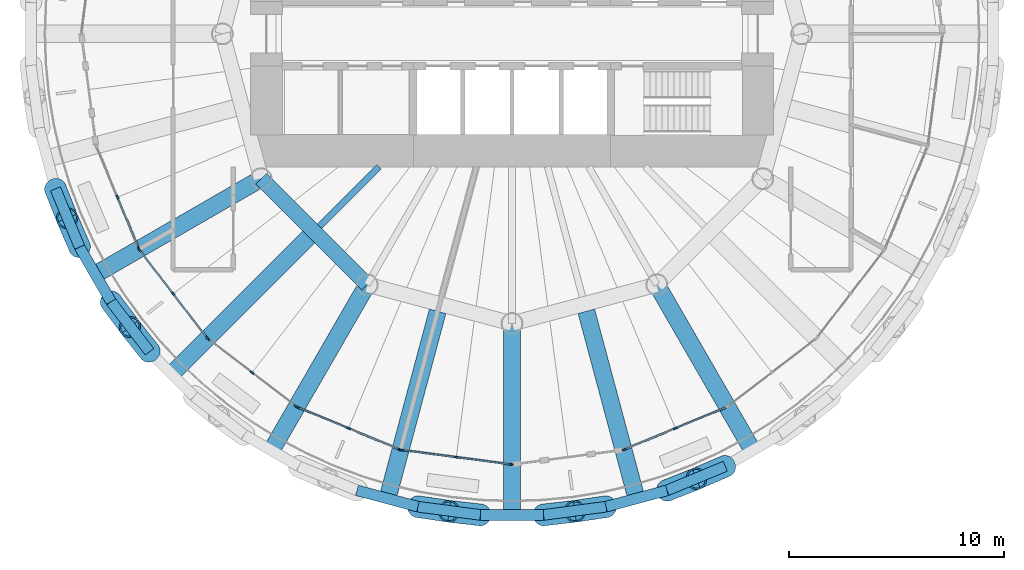
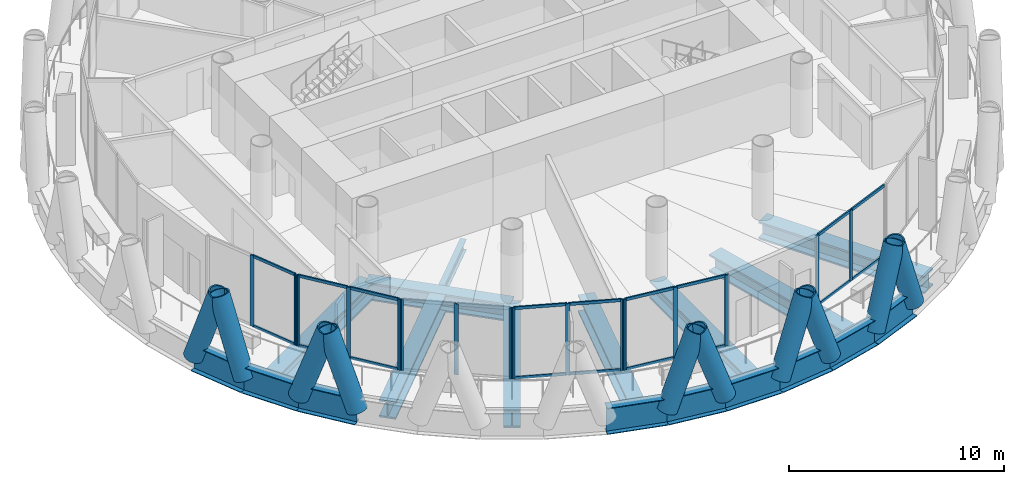
# One storey, part 2 of 15: 44 members, 18 beams, 6 elements without a shape of their own.
"""IFC4 building model written with IfcOpenShell, lengths in metres."""

from ifc_helpers import new_model, si_unit, direction, frame, origin, origin_2d, place, context, subcontext, project, spatial, rectangle, hollow_circle, i_section, extrude, material, material_profile, profile_set, type_object, element, aggregate, save


model = new_model("IFC4")

# Units and contexts
model_context = context("Model", 3, precision=1e-05, world=origin(), true_north=direction((0.0, 1.0)))
body_context = subcontext(model_context, "Body", "Model", "MODEL_VIEW")
ifc_project = project(units=[si_unit("LENGTHUNIT", "METRE"), si_unit("AREAUNIT", "SQUARE_METRE"), si_unit("VOLUMEUNIT", "CUBIC_METRE"), si_unit("PLANEANGLEUNIT", "RADIAN"), si_unit("MASSUNIT", "GRAM", prefix="KILO")], contexts=[model_context])

# Site, building, storey
site_placement = place(None, origin())
site = spatial("IfcSite", under=ifc_project, at=site_placement, CompositionType="ELEMENT")
building_placement = place(site_placement, origin())
building = spatial("IfcBuilding", under=site, at=building_placement, Name="Qaws Media Tower", CompositionType="ELEMENT")
storey_placement = place(building_placement, frame((0.0, 0.0, 231.800048828125)))
storey = spatial("IfcBuildingStorey", under=building, at=storey_placement, Name="L53", CompositionType="ELEMENT", Elevation=231.800048828125)

# Curtain wall, members
ifc_material_1 = material(Name="Aluminium and clear glass", Category="aluminium")
curtain_wall_type = type_object("IfcCurtainWallType", Name="Unitised curtain wall CW-C", PredefinedType="NOTDEFINED", material=ifc_material_1)
curtain_wall_1_placement = place(storey_placement, origin())
curtain_wall_1 = element("IfcCurtainWall", 1, at=curtain_wall_1_placement, inside=storey, type_object=curtain_wall_type, Name="CWC curtain wall L53-14", PredefinedType="NOTDEFINED")
ifc_material_2 = material(Name="Aluminium mullion", Category="aluminium")
ifc_material_profile_1 = material_profile(ifc_material_2, rectangle(XDim=0.080078125, YDim=0.199951171875, at=origin_2d()), Name="80x200")
ifc_profile_set_1 = profile_set([ifc_material_profile_1], Name="Aluminium mullion")
member_type_1 = type_object("IfcMemberType", Name="Curtain wall mullion 80x200", PredefinedType="MULLION", material=ifc_profile_set_1)
member_1_placement = place(storey_placement, frame((41.61181640625, 42.38330078125, 0.0), z_axis=(0.0, 0.0, 1.0), x_axis=(0.923879540513, 0.382683413048, 0.0)))
member_1 = element("IfcMember", 2, at=member_1_placement, type_object=member_type_1, Name="CWC mullion 2", PredefinedType="MULLION", context=body_context, shape_type="SweptSolid", body=[
    extrude(rectangle(XDim=0.080078125, YDim=0.199951171875, at=origin_2d()), origin(), (0.0, 0.0, 1.0), 4.0400390625),
])
member_2_placement = place(storey_placement, frame((42.59912109375, 39.99951171875, 0.0), z_axis=(0.0, 0.0, 1.0), x_axis=(0.923879540513, 0.382683413048, 0.0)))
member_2 = element("IfcMember", 3, at=member_2_placement, type_object=member_type_1, Name="CWC mullion 3", PredefinedType="MULLION", context=body_context, shape_type="SweptSolid", body=[
    extrude(rectangle(XDim=0.080078125, YDim=0.199951171875, at=origin_2d()), origin(), (0.0, 0.0, 1.0), 4.0400390625),
])

curtain_wall_2_placement = place(storey_placement, origin())
curtain_wall_2 = element("IfcCurtainWall", 4, at=curtain_wall_2_placement, inside=storey, type_object=curtain_wall_type, Name="CWC curtain wall L53-15", PredefinedType="NOTDEFINED")
member_3_placement = place(storey_placement, frame((42.638916015625, 39.9306640625, 0.0), z_axis=(0.0, 0.0, 1.0), x_axis=(0.79335339842, 0.608761353254, 0.0)))
member_3 = element("IfcMember", 5, at=member_3_placement, type_object=member_type_1, Name="CWC mullion 1", PredefinedType="MULLION", context=body_context, shape_type="SweptSolid", body=[
    extrude(rectangle(XDim=0.080078125, YDim=0.199951171875, at=origin_2d()), origin(), (0.0, 0.0, 1.0), 4.0400390625),
])
member_4_placement = place(storey_placement, frame((44.209716796875, 37.883544921875, 0.0), z_axis=(0.0, 0.0, 1.0), x_axis=(0.79335339842, 0.608761353254, 0.0)))
member_4 = element("IfcMember", 6, at=member_4_placement, type_object=member_type_1, Name="CWC mullion 2", PredefinedType="MULLION", context=body_context, shape_type="SweptSolid", body=[
    extrude(rectangle(XDim=0.080078125, YDim=0.199951171875, at=origin_2d()), origin(), (0.0, 0.0, 1.0), 4.0400390625),
])
member_5_placement = place(storey_placement, frame((45.780517578125, 35.836669921875, 0.0), z_axis=(0.0, 0.0, 1.0), x_axis=(0.79335339842, 0.608761353254, 0.0)))
member_5 = element("IfcMember", 7, at=member_5_placement, type_object=member_type_1, Name="CWC mullion 3", PredefinedType="MULLION", context=body_context, shape_type="SweptSolid", body=[
    extrude(rectangle(XDim=0.080078125, YDim=0.199951171875, at=origin_2d()), origin(), (0.0, 0.0, 1.0), 4.0400390625),
])

curtain_wall_3_placement = place(storey_placement, origin())
curtain_wall_3 = element("IfcCurtainWall", 8, at=curtain_wall_3_placement, inside=storey, type_object=curtain_wall_type, Name="CWC curtain wall L53-16", PredefinedType="NOTDEFINED")
member_6_placement = place(storey_placement, frame((45.836669921875, 35.780517578125, 0.0), z_axis=(0.0, 0.0, 1.0), x_axis=(0.608761353254, 0.79335339842, 0.0)))
member_6 = element("IfcMember", 9, at=member_6_placement, type_object=member_type_1, Name="CWC mullion 1", PredefinedType="MULLION", context=body_context, shape_type="SweptSolid", body=[
    extrude(rectangle(XDim=0.080078125, YDim=0.199951171875, at=origin_2d()), origin(), (0.0, 0.0, 1.0), 4.0400390625),
])
member_7_placement = place(storey_placement, frame((47.883544921875, 34.209716796875, 0.0), z_axis=(0.0, 0.0, 1.0), x_axis=(0.608761353254, 0.79335339842, 0.0)))
member_7 = element("IfcMember", 10, at=member_7_placement, type_object=member_type_1, Name="CWC mullion 2", PredefinedType="MULLION", context=body_context, shape_type="SweptSolid", body=[
    extrude(rectangle(XDim=0.080078125, YDim=0.199951171875, at=origin_2d()), origin(), (0.0, 0.0, 1.0), 4.0400390625),
])
member_8_placement = place(storey_placement, frame((49.9306640625, 32.638916015625, 0.0), z_axis=(0.0, 0.0, 1.0), x_axis=(0.608761353254, 0.79335339842, 0.0)))
member_8 = element("IfcMember", 11, at=member_8_placement, type_object=member_type_1, Name="CWC mullion 3", PredefinedType="MULLION", context=body_context, shape_type="SweptSolid", body=[
    extrude(rectangle(XDim=0.080078125, YDim=0.199951171875, at=origin_2d()), origin(), (0.0, 0.0, 1.0), 4.0400390625),
])
aggregate(curtain_wall_3, [member_6, member_7, member_8])

curtain_wall_4_placement = place(storey_placement, origin())
curtain_wall_4 = element("IfcCurtainWall", 12, at=curtain_wall_4_placement, inside=storey, type_object=curtain_wall_type, Name="CWC curtain wall L53-17", PredefinedType="NOTDEFINED")
member_9_placement = place(storey_placement, frame((49.99951171875, 32.59912109375, 0.0), z_axis=(0.0, 0.0, 1.0), x_axis=(0.382683413048, 0.923879540513, 0.0)))
member_9 = element("IfcMember", 13, at=member_9_placement, type_object=member_type_1, Name="CWC mullion 1", PredefinedType="MULLION", context=body_context, shape_type="SweptSolid", body=[
    extrude(rectangle(XDim=0.080078125, YDim=0.199951171875, at=origin_2d()), origin(), (0.0, 0.0, 1.0), 4.0400390625),
])
member_10_placement = place(storey_placement, frame((52.38330078125, 31.61181640625, 0.0), z_axis=(0.0, 0.0, 1.0), x_axis=(0.382683413048, 0.923879540513, 0.0)))
member_10 = element("IfcMember", 14, at=member_10_placement, type_object=member_type_1, Name="CWC mullion 2", PredefinedType="MULLION", context=body_context, shape_type="SweptSolid", body=[
    extrude(rectangle(XDim=0.080078125, YDim=0.199951171875, at=origin_2d()), origin(), (0.0, 0.0, 1.0), 4.0400390625),
])
member_11_placement = place(storey_placement, frame((54.767333984375, 30.624267578125, 0.0), z_axis=(0.0, 0.0, 1.0), x_axis=(0.382683413048, 0.923879540513, 0.0)))
member_11 = element("IfcMember", 15, at=member_11_placement, type_object=member_type_1, Name="CWC mullion 3", PredefinedType="MULLION", context=body_context, shape_type="SweptSolid", body=[
    extrude(rectangle(XDim=0.080078125, YDim=0.199951171875, at=origin_2d()), origin(), (0.0, 0.0, 1.0), 4.0400390625),
])

curtain_wall_5_placement = place(storey_placement, origin())
curtain_wall_5 = element("IfcCurtainWall", 16, at=curtain_wall_5_placement, inside=storey, type_object=curtain_wall_type, Name="CWC curtain wall L53-18", PredefinedType="NOTDEFINED")
member_12_placement = place(storey_placement, frame((54.84375, 30.603759765625, 0.0), z_axis=(0.0, 0.0, 1.0), x_axis=(0.130526193397, 0.991444861219, 0.0)))
member_12 = element("IfcMember", 17, at=member_12_placement, type_object=member_type_1, Name="CWC mullion 1", PredefinedType="MULLION", context=body_context, shape_type="SweptSolid", body=[
    extrude(rectangle(XDim=0.080078125, YDim=0.199951171875, at=origin_2d()), origin(), (0.0, 0.0, 1.0), 4.0400390625),
])
member_13_placement = place(storey_placement, frame((57.402099609375, 30.26708984375, 0.0), z_axis=(0.0, 0.0, 1.0), x_axis=(0.130526193397, 0.991444861219, 0.0)))
member_13 = element("IfcMember", 18, at=member_13_placement, type_object=member_type_1, Name="CWC mullion 2", PredefinedType="MULLION", context=body_context, shape_type="SweptSolid", body=[
    extrude(rectangle(XDim=0.080078125, YDim=0.199951171875, at=origin_2d()), origin(), (0.0, 0.0, 1.0), 4.0400390625),
])
member_14_placement = place(storey_placement, frame((59.96044921875, 29.93017578125, 0.0), z_axis=(0.0, 0.0, 1.0), x_axis=(0.130526193397, 0.991444861219, 0.0)))
member_14 = element("IfcMember", 19, at=member_14_placement, type_object=member_type_1, Name="CWC mullion 3", PredefinedType="MULLION", context=body_context, shape_type="SweptSolid", body=[
    extrude(rectangle(XDim=0.080078125, YDim=0.199951171875, at=origin_2d()), origin(), (0.0, 0.0, 1.0), 4.0400390625),
])

curtain_wall_6_placement = place(storey_placement, origin())
curtain_wall_6 = element("IfcCurtainWall", 20, at=curtain_wall_6_placement, inside=storey, type_object=curtain_wall_type, Name="CWC curtain wall L53-20", PredefinedType="NOTDEFINED")
member_15_placement = place(storey_placement, frame((65.232666015625, 30.624267578125, 0.0), z_axis=(0.0, 0.0, 1.0), x_axis=(-0.382683413048, 0.923879540513, 0.0)))
member_15 = element("IfcMember", 21, at=member_15_placement, type_object=member_type_1, Name="CWC mullion 1", PredefinedType="MULLION", context=body_context, shape_type="SweptSolid", body=[
    extrude(rectangle(XDim=0.080078125, YDim=0.199951171875, at=origin_2d()), origin(), (0.0, 0.0, 1.0), 4.0400390625),
])
member_16_placement = place(storey_placement, frame((67.61669921875, 31.61181640625, 0.0), z_axis=(0.0, 0.0, 1.0), x_axis=(-0.382683413048, 0.923879540513, 0.0)))
member_16 = element("IfcMember", 22, at=member_16_placement, type_object=member_type_1, Name="CWC mullion 2", PredefinedType="MULLION", context=body_context, shape_type="SweptSolid", body=[
    extrude(rectangle(XDim=0.080078125, YDim=0.199951171875, at=origin_2d()), origin(), (0.0, 0.0, 1.0), 4.0400390625),
])

# Member
ifc_material_3 = material(Name="Aluminium transom", Category="aluminium")
ifc_material_profile_2 = material_profile(ifc_material_3, rectangle(XDim=0.080078125, YDim=0.159912109375, at=origin_2d()), Name="80x160")
ifc_profile_set_2 = profile_set([ifc_material_profile_2], Name="Aluminium transom")
member_type_2 = type_object("IfcMemberType", Name="Curtain wall transom 80x160", PredefinedType="USERDEFINED", material=ifc_profile_set_2)
member_17_placement = place(storey_placement, frame((41.627197265625, 42.346435546875, 0.0400390625), z_axis=(0.382659368921, -0.923889499549, 0.0), x_axis=(0.923889499549, 0.382659368921, 0.0)))
member_17 = element("IfcMember", 23, at=member_17_placement, type_object=member_type_2, Name="CWC transom 2.1", ObjectType="TRANSOM", PredefinedType="USERDEFINED", context=body_context, shape_type="SweptSolid", body=[
    extrude(rectangle(XDim=0.080078125, YDim=0.159912109375, at=origin_2d()), origin(), (0.0, 0.0, 1.0), 2.500244140625),
])

member_18_placement = place(storey_placement, frame((41.627197265625, 42.346435546875, 4.0), z_axis=(0.382659368921, -0.923889499549, 0.0), x_axis=(0.923889499549, 0.382659368921, 0.0)))
member_18 = element("IfcMember", 24, at=member_18_placement, type_object=member_type_2, Name="CWC transom 2.2", ObjectType="TRANSOM", PredefinedType="USERDEFINED", context=body_context, shape_type="SweptSolid", body=[
    extrude(rectangle(XDim=0.080078125, YDim=0.159912109375, at=origin_2d()), origin(), (0.0, 0.0, 1.0), 2.500244140625),
])

aggregate(curtain_wall_1, [member_1, member_2, member_17, member_18])

member_19_placement = place(storey_placement, frame((42.663330078125, 39.89892578125, 0.0400390625), z_axis=(0.608728745626, -0.793378418064, 0.0), x_axis=(0.793378418064, 0.608728745626, 0.0)))
member_19 = element("IfcMember", 25, at=member_19_placement, type_object=member_type_2, Name="CWC transom 1.1", ObjectType="TRANSOM", PredefinedType="USERDEFINED", context=body_context, shape_type="SweptSolid", body=[
    extrude(rectangle(XDim=0.080078125, YDim=0.159912109375, at=origin_2d()), origin(), (0.0, 0.0, 1.0), 2.500244140625),
])

member_20_placement = place(storey_placement, frame((42.663330078125, 39.89892578125, 4.0), z_axis=(0.608728745626, -0.793378418064, 0.0), x_axis=(0.793378418064, 0.608728745626, 0.0)))
member_20 = element("IfcMember", 26, at=member_20_placement, type_object=member_type_2, Name="CWC transom 1.2", ObjectType="TRANSOM", PredefinedType="USERDEFINED", context=body_context, shape_type="SweptSolid", body=[
    extrude(rectangle(XDim=0.080078125, YDim=0.159912109375, at=origin_2d()), origin(), (0.0, 0.0, 1.0), 2.500244140625),
])

member_21_placement = place(storey_placement, frame((44.234130859375, 37.85205078125, 0.0400390625), z_axis=(0.608728745626, -0.793378418064, 0.0), x_axis=(0.793378418064, 0.608728745626, 0.0)))
member_21 = element("IfcMember", 27, at=member_21_placement, type_object=member_type_2, Name="CWC transom 2.1", ObjectType="TRANSOM", PredefinedType="USERDEFINED", context=body_context, shape_type="SweptSolid", body=[
    extrude(rectangle(XDim=0.080078125, YDim=0.159912109375, at=origin_2d()), origin(), (0.0, 0.0, 1.0), 2.500244140625),
])

member_22_placement = place(storey_placement, frame((44.234130859375, 37.85205078125, 4.0), z_axis=(0.608728745626, -0.793378418064, 0.0), x_axis=(0.793378418064, 0.608728745626, 0.0)))
member_22 = element("IfcMember", 28, at=member_22_placement, type_object=member_type_2, Name="CWC transom 2.2", ObjectType="TRANSOM", PredefinedType="USERDEFINED", context=body_context, shape_type="SweptSolid", body=[
    extrude(rectangle(XDim=0.080078125, YDim=0.159912109375, at=origin_2d()), origin(), (0.0, 0.0, 1.0), 2.500244140625),
])

aggregate(curtain_wall_2, [member_3, member_4, member_5, member_19, member_20, member_21, member_22])

member_23_placement = place(storey_placement, frame((50.036376953125, 32.583984375, 0.0400390625), z_axis=(0.923889499549, -0.382659368921, 0.0), x_axis=(0.382659368921, 0.923889499549, 0.0)))
member_23 = element("IfcMember", 29, at=member_23_placement, type_object=member_type_2, Name="CWC transom 1.1", ObjectType="TRANSOM", PredefinedType="USERDEFINED", context=body_context, shape_type="SweptSolid", body=[
    extrude(rectangle(XDim=0.080078125, YDim=0.159912109375, at=origin_2d()), origin(), (0.0, 0.0, 1.0), 2.500244140625),
])

member_24_placement = place(storey_placement, frame((50.036376953125, 32.583984375, 4.0), z_axis=(0.923889499549, -0.382659368921, 0.0), x_axis=(0.382659368921, 0.923889499549, 0.0)))
member_24 = element("IfcMember", 30, at=member_24_placement, type_object=member_type_2, Name="CWC transom 1.2", ObjectType="TRANSOM", PredefinedType="USERDEFINED", context=body_context, shape_type="SweptSolid", body=[
    extrude(rectangle(XDim=0.080078125, YDim=0.159912109375, at=origin_2d()), origin(), (0.0, 0.0, 1.0), 2.500244140625),
])

member_25_placement = place(storey_placement, frame((52.42041015625, 31.596435546875, 0.0400390625), z_axis=(0.923875200059, -0.382693891664, 0.0), x_axis=(0.382693891664, 0.923875200059, 0.0)))
member_25 = element("IfcMember", 31, at=member_25_placement, type_object=member_type_2, Name="CWC transom 2.1", ObjectType="TRANSOM", PredefinedType="USERDEFINED", context=body_context, shape_type="SweptSolid", body=[
    extrude(rectangle(XDim=0.080078125, YDim=0.159912109375, at=origin_2d()), origin(), (0.0, 0.0, 1.0), 2.500244140625),
])

member_26_placement = place(storey_placement, frame((52.42041015625, 31.596435546875, 4.0), z_axis=(0.923875200059, -0.382693891664, 0.0), x_axis=(0.382693891664, 0.923875200059, 0.0)))
member_26 = element("IfcMember", 32, at=member_26_placement, type_object=member_type_2, Name="CWC transom 2.2", ObjectType="TRANSOM", PredefinedType="USERDEFINED", context=body_context, shape_type="SweptSolid", body=[
    extrude(rectangle(XDim=0.080078125, YDim=0.159912109375, at=origin_2d()), origin(), (0.0, 0.0, 1.0), 2.500244140625),
])

aggregate(curtain_wall_4, [member_9, member_10, member_11, member_23, member_24, member_25, member_26])

member_27_placement = place(storey_placement, frame((54.883544921875, 30.5986328125, 0.0400390625), z_axis=(0.991442327246, -0.130545439386, 0.0), x_axis=(0.130545439386, 0.991442327246, 0.0)))
member_27 = element("IfcMember", 33, at=member_27_placement, type_object=member_type_2, Name="CWC transom 1.1", ObjectType="TRANSOM", PredefinedType="USERDEFINED", context=body_context, shape_type="SweptSolid", body=[
    extrude(rectangle(XDim=0.080078125, YDim=0.159912109375, at=origin_2d()), origin(), (0.0, 0.0, 1.0), 2.50048828125),
])

member_28_placement = place(storey_placement, frame((54.883544921875, 30.5986328125, 4.0), z_axis=(0.991442327246, -0.130545439386, 0.0), x_axis=(0.130545439386, 0.991442327246, 0.0)))
member_28 = element("IfcMember", 34, at=member_28_placement, type_object=member_type_2, Name="CWC transom 1.2", ObjectType="TRANSOM", PredefinedType="USERDEFINED", context=body_context, shape_type="SweptSolid", body=[
    extrude(rectangle(XDim=0.080078125, YDim=0.159912109375, at=origin_2d()), origin(), (0.0, 0.0, 1.0), 2.50048828125),
])

member_29_placement = place(storey_placement, frame((57.441650390625, 30.26171875, 0.0400390625), z_axis=(0.991454960212, -0.130449460985, 0.0), x_axis=(0.130449460985, 0.991454960212, 0.0)))
member_29 = element("IfcMember", 35, at=member_29_placement, type_object=member_type_2, Name="CWC transom 2.1", ObjectType="TRANSOM", PredefinedType="USERDEFINED", context=body_context, shape_type="SweptSolid", body=[
    extrude(rectangle(XDim=0.080078125, YDim=0.159912109375, at=origin_2d()), origin(), (0.0, 0.0, 1.0), 2.50048828125),
])

member_30_placement = place(storey_placement, frame((57.441650390625, 30.26171875, 4.0), z_axis=(0.991454960212, -0.130449460985, 0.0), x_axis=(0.130449460985, 0.991454960212, 0.0)))
member_30 = element("IfcMember", 36, at=member_30_placement, type_object=member_type_2, Name="CWC transom 2.2", ObjectType="TRANSOM", PredefinedType="USERDEFINED", context=body_context, shape_type="SweptSolid", body=[
    extrude(rectangle(XDim=0.080078125, YDim=0.159912109375, at=origin_2d()), origin(), (0.0, 0.0, 1.0), 2.50048828125),
])

aggregate(curtain_wall_5, [member_12, member_13, member_14, member_27, member_28, member_29, member_30])

member_31_placement = place(storey_placement, frame((65.269775390625, 30.6396484375, 0.0400390625), z_axis=(0.923875200059, 0.382693891664, 0.0), x_axis=(-0.382693891664, 0.923875200059, 0.0)))
member_31 = element("IfcMember", 37, at=member_31_placement, type_object=member_type_2, Name="CWC transom 1.1", ObjectType="TRANSOM", PredefinedType="USERDEFINED", context=body_context, shape_type="SweptSolid", body=[
    extrude(rectangle(XDim=0.080078125, YDim=0.159912109375, at=origin_2d()), origin(), (0.0, 0.0, 1.0), 2.500244140625),
])

member_32_placement = place(storey_placement, frame((65.269775390625, 30.6396484375, 4.0), z_axis=(0.923875200059, 0.382693891664, 0.0), x_axis=(-0.382693891664, 0.923875200059, 0.0)))
member_32 = element("IfcMember", 38, at=member_32_placement, type_object=member_type_2, Name="CWC transom 1.2", ObjectType="TRANSOM", PredefinedType="USERDEFINED", context=body_context, shape_type="SweptSolid", body=[
    extrude(rectangle(XDim=0.080078125, YDim=0.159912109375, at=origin_2d()), origin(), (0.0, 0.0, 1.0), 2.500244140625),
])

member_33_placement = place(storey_placement, frame((67.653564453125, 31.627197265625, 0.0400390625), z_axis=(0.923889499549, 0.382659368921, 0.0), x_axis=(-0.382659368921, 0.923889499549, 0.0)))
member_33 = element("IfcMember", 39, at=member_33_placement, type_object=member_type_2, Name="CWC transom 2.1", ObjectType="TRANSOM", PredefinedType="USERDEFINED", context=body_context, shape_type="SweptSolid", body=[
    extrude(rectangle(XDim=0.080078125, YDim=0.159912109375, at=origin_2d()), origin(), (0.0, 0.0, 1.0), 2.500244140625),
])

member_34_placement = place(storey_placement, frame((67.653564453125, 31.627197265625, 4.0), z_axis=(0.923889499549, 0.382659368921, 0.0), x_axis=(-0.382659368921, 0.923889499549, 0.0)))
member_34 = element("IfcMember", 40, at=member_34_placement, type_object=member_type_2, Name="CWC transom 2.2", ObjectType="TRANSOM", PredefinedType="USERDEFINED", context=body_context, shape_type="SweptSolid", body=[
    extrude(rectangle(XDim=0.080078125, YDim=0.159912109375, at=origin_2d()), origin(), (0.0, 0.0, 1.0), 2.500244140625),
])

aggregate(curtain_wall_6, [member_15, member_16, member_31, member_32, member_33, member_34])

# Members
ifc_material_4 = material(Name="Steel S460", Category="steel")
ifc_material_profile_3 = material_profile(ifc_material_4, hollow_circle(Radius=0.508056640625, WallThickness=0.070068359375, at=origin_2d()), Name="CHS 1016x70")
ifc_profile_set_3 = profile_set([ifc_material_profile_3], Name="Steel S460")
member_type_3 = type_object("IfcMemberType", Name="Diagrid member CHS 1016x70", PredefinedType="USERDEFINED", material=ifc_profile_set_3)
member_35_placement = place(storey_placement, frame((38.7177734375, 42.775634765625, -0.91015625), z_axis=(0.121575400819, -0.307175392233, 0.943855232714), x_axis=(0.929822004047, 0.368009566167, 0.0)))
element("IfcMember", 41, at=member_35_placement, inside=storey, type_object=member_type_3, Name="DG3 diagrid L53 A14", ObjectType="DIAGRID", PredefinedType="USERDEFINED", context=body_context, shape_type="SweptSolid", body=[
    extrude(hollow_circle(Radius=0.508056640625, WallThickness=0.070068359375, at=origin_2d()), origin(), (0.0, 0.0, 1.0), 4.449951171875),
])
member_36_placement = place(storey_placement, frame((41.312744140625, 37.513671875, -0.91015625), z_axis=(0.196954799022, -0.265258064978, 0.943846897598), x_axis=(0.802880095878, 0.596140546888, 0.0)))
element("IfcMember", 42, at=member_36_placement, inside=storey, type_object=member_type_3, Name="DG3 diagrid L53 A15", ObjectType="DIAGRID", PredefinedType="USERDEFINED", context=body_context, shape_type="SweptSolid", body=[
    extrude(hollow_circle(Radius=0.508056640625, WallThickness=0.070068359375, at=origin_2d()), origin(), (0.0, 0.0, 1.0), 4.4501953125),
])
for number, where, z_axis, x_axis, name in (
    (43, (39.8427734375, 40.0595703125, -0.91015625), (-0.131231429431, 0.303170936051, 0.943856819366), (-0.917713080765, -0.397243881504, 0.0), "DG3 diagrid L53 B15"),
    (44, (43.102294921875, 35.18115234375, -0.91015625), (-0.20518681443, 0.25889748056, 0.943859346377), (-0.783712318806, -0.621123982271, 0.0), "DG3 diagrid L53 B16"),
    (45, (55.615234375, 27.956787109375, -0.91015625), (0.326815793982, -0.048278982492, 0.943854107717), (0.146139386933, 0.989264009043, 0.0), "DG3 diagrid L53 A18"),
    (46, (61.469970703125, 27.5732421875, -0.91015625), (0.328186587472, 0.037909884979, 0.943851897505), (-0.114750170186, 0.993394382127, 0.0), "DG3 diagrid L53 A19"),
    (47, (58.530029296875, 27.5732421875, -0.91015625), (-0.328186587472, 0.037909884979, 0.943851897505), (-0.114750170186, -0.993394382127, 0.0), "DG3 diagrid L53 B19"),
    (48, (67.224365234375, 28.7177734375, -0.91015625), (0.307175392233, 0.121575400819, 0.943855232714), (-0.368009566167, 0.929822004047, 0.0), "DG3 diagrid L53 A20"),
    (49, (64.384765625, 27.956787109375, -0.91015625), (-0.326815793982, -0.048278982492, 0.943854107717), (0.146139386933, -0.989264009043, 0.0), "DG3 diagrid L53 B20"),
    (50, (69.9404296875, 29.8427734375, -0.91015625), (-0.303170936051, -0.131231429431, 0.943856819366), (0.397243881504, -0.917713080765, 0.0), "DG3 diagrid L53 B21"),
):
    element("IfcMember", number, at=place(storey_placement, frame(where, z_axis=z_axis, x_axis=x_axis)), inside=storey, type_object=member_type_3, Name=name, ObjectType="DIAGRID", PredefinedType="USERDEFINED", context=body_context, shape_type="SweptSolid", body=[
        extrude(hollow_circle(Radius=0.508056640625, WallThickness=0.070068359375, at=origin_2d()), origin(), (0.0, 0.0, 1.0), 4.449951171875),
    ])

# Beams
ifc_material_5 = material(Name="Steel S460", Category="steel")
ifc_material_profile_4 = material_profile(ifc_material_5, i_section(OverallWidth=0.5, OverallDepth=1.5, WebThickness=0.02001953125, FlangeThickness=0.0400390625, at=origin_2d()), Name="PG 1500x500")
ifc_profile_set_4 = profile_set([ifc_material_profile_4], Name="Steel S460")
beam_type_1 = type_object("IfcBeamType", Name="Edge ring beam PG 1500x500", PredefinedType="BEAM", material=ifc_profile_set_4)
beam_1_placement = place(storey_placement, frame((38.7177734375, 42.775634765625, -0.91015625), z_axis=(0.38267450938, -0.923883228482, 0.0), x_axis=(0.923883228482, 0.38267450938, 0.0)))
element("IfcBeam", 51, at=beam_1_placement, inside=storey, type_object=beam_type_1, Name="RB4 edge ring beam L53-27", PredefinedType="BEAM", context=body_context, shape_type="SweptSolid", body=[
    extrude(i_section(OverallWidth=0.5, OverallDepth=1.5, WebThickness=0.02001953125, FlangeThickness=0.0400390625, at=origin_2d()), origin(), (0.0, 0.0, 1.0), 2.93994140625),
])
beam_2_placement = place(storey_placement, frame((39.8427734375, 40.0595703125, -0.91015625), z_axis=(0.500024377727, -0.866011328839, 0.0), x_axis=(0.866011328839, 0.500024377727, 0.0)))
element("IfcBeam", 52, at=beam_2_placement, inside=storey, type_object=beam_type_1, Name="RB4 edge ring beam L53-28", PredefinedType="BEAM", context=body_context, shape_type="SweptSolid", body=[
    extrude(i_section(OverallWidth=0.5, OverallDepth=1.5, WebThickness=0.02001953125, FlangeThickness=0.0400390625, at=origin_2d()), origin(), (0.0, 0.0, 1.0), 2.939697265625),
])
beam_3_placement = place(storey_placement, frame((41.312744140625, 37.513671875, -0.91015625), z_axis=(0.608706961847, -0.793395131444, 0.0), x_axis=(0.793395131444, 0.608706961847, 0.0)))
element("IfcBeam", 53, at=beam_3_placement, inside=storey, type_object=beam_type_1, Name="RB4 edge ring beam L53-29", PredefinedType="BEAM", context=body_context, shape_type="SweptSolid", body=[
    extrude(i_section(OverallWidth=0.5, OverallDepth=1.5, WebThickness=0.02001953125, FlangeThickness=0.0400390625, at=origin_2d()), origin(), (0.0, 0.0, 1.0), 2.93994140625),
])
beam_4_placement = place(storey_placement, frame((52.775634765625, 28.7177734375, -0.91015625), z_axis=(0.965915798866, -0.258856465056, 0.0), x_axis=(0.258856465056, 0.965915798866, 0.0)))
element("IfcBeam", 54, at=beam_4_placement, inside=storey, type_object=beam_type_1, Name="RB4 edge ring beam L53-34", PredefinedType="BEAM", context=body_context, shape_type="SweptSolid", body=[
    extrude(i_section(OverallWidth=0.5, OverallDepth=1.5, WebThickness=0.02001953125, FlangeThickness=0.0400390625, at=origin_2d()), origin(), (0.0, 0.0, 1.0), 2.939697265625),
])
for number, where, z_axis, x_axis, name in (
    (55, (55.615234375, 27.956787109375, -0.91015625), (0.991453447565, -0.130460957042, 0.0), (0.130460957042, 0.991453447565, 0.0), "RB4 edge ring beam L53-35"),
    (56, (58.530029296875, 27.5732421875, -0.91015625), (1.0, 0.0, 0.0), (0.0, 1.0, 0.0), "RB4 edge ring beam L53-36"),
    (57, (61.469970703125, 27.5732421875, -0.91015625), (0.991453447565, 0.130460957042, 0.0), (-0.130460957042, 0.991453447565, 0.0), "RB4 edge ring beam L53-37"),
):
    element("IfcBeam", number, at=place(storey_placement, frame(where, z_axis=z_axis, x_axis=x_axis)), inside=storey, type_object=beam_type_1, Name=name, PredefinedType="BEAM", context=body_context, shape_type="SweptSolid", body=[
        extrude(i_section(OverallWidth=0.5, OverallDepth=1.5, WebThickness=0.02001953125, FlangeThickness=0.0400390625, at=origin_2d()), origin(), (0.0, 0.0, 1.0), 2.93994140625),
    ])
beam_5_placement = place(storey_placement, frame((64.384765625, 27.956787109375, -0.91015625), z_axis=(0.965915798866, 0.258856465056, 0.0), x_axis=(-0.258856465056, 0.965915798866, 0.0)))
element("IfcBeam", 58, at=beam_5_placement, inside=storey, type_object=beam_type_1, Name="RB4 edge ring beam L53-38", PredefinedType="BEAM", context=body_context, shape_type="SweptSolid", body=[
    extrude(i_section(OverallWidth=0.5, OverallDepth=1.5, WebThickness=0.02001953125, FlangeThickness=0.0400390625, at=origin_2d()), origin(), (0.0, 0.0, 1.0), 2.939697265625),
])
beam_6_placement = place(storey_placement, frame((67.224365234375, 28.7177734375, -0.91015625), z_axis=(0.923883228482, 0.38267450938, 0.0), x_axis=(-0.38267450938, 0.923883228482, 0.0)))
element("IfcBeam", 59, at=beam_6_placement, inside=storey, type_object=beam_type_1, Name="RB4 edge ring beam L53-39", PredefinedType="BEAM", context=body_context, shape_type="SweptSolid", body=[
    extrude(i_section(OverallWidth=0.5, OverallDepth=1.5, WebThickness=0.02001953125, FlangeThickness=0.0400390625, at=origin_2d()), origin(), (0.0, 0.0, 1.0), 2.93994140625),
])
ifc_material_6 = material(Name="Steel S460", Category="steel")
ifc_material_profile_5 = material_profile(ifc_material_6, i_section(OverallWidth=0.699951171875, OverallDepth=1.0, WebThickness=0.034912109375, FlangeThickness=0.090087890625, at=origin_2d()), Name="PG 1000x700")
ifc_profile_set_5 = profile_set([ifc_material_profile_5], Name="Steel S460")
beam_type_2 = type_object("IfcBeamType", Name="Inner ring girder PG 1000x700", PredefinedType="BEAM", material=ifc_profile_set_5)
beam_7_placement = place(storey_placement, frame((48.30859375, 43.25, -0.66015625), z_axis=(0.707106781187, -0.707106781187, 0.0), x_axis=(0.707106781187, 0.707106781187, 0.0)))
element("IfcBeam", 60, at=beam_7_placement, inside=storey, type_object=beam_type_2, Name="B3 inner ring beam L53 I08-I09", PredefinedType="BEAM", context=body_context, shape_type="SweptSolid", body=[
    extrude(i_section(OverallWidth=0.699951171875, OverallDepth=1.0, WebThickness=0.034912109375, FlangeThickness=0.090087890625, at=origin_2d()), origin(), (0.0, 0.0, 1.0), 6.98828125),
])
ifc_material_7 = material(Name="Steel S355", Category="steel")
ifc_material_profile_6 = material_profile(ifc_material_7, i_section(OverallWidth=0.304931640625, OverallDepth=0.6201171875, WebThickness=0.02099609375, FlangeThickness=0.0400390625, FilletRadius=0.027099609375, at=origin_2d()), Name="HE 600 M")
ifc_profile_set_6 = profile_set([ifc_material_profile_6], Name="Steel S355")
beam_type_3 = type_object("IfcBeamType", Name="Radial beam HE 600 M, core side", PredefinedType="BEAM", material=ifc_profile_set_6)
beam_8_placement = place(storey_placement, frame((53.800048828125, 43.800048828125, -0.469970703125), z_axis=(-0.707106781187, -0.707106781187, 0.0), x_axis=(0.707106781187, -0.707106781187, 0.0)))
element("IfcBeam", 61, at=beam_8_placement, inside=storey, type_object=beam_type_3, Name="B2 radial beam L53 16", PredefinedType="BEAM", context=body_context, shape_type="SweptSolid", body=[
    extrude(i_section(OverallWidth=0.304931640625, OverallDepth=0.6201171875, WebThickness=0.02099609375, FlangeThickness=0.0400390625, FilletRadius=0.027099609375, at=origin_2d()), origin(), (0.0, 0.0, 1.0), 3.921875),
])
ifc_material_8 = material(Name="Steel S460", Category="steel")
ifc_material_profile_7 = material_profile(ifc_material_8, i_section(OverallWidth=0.800048828125, OverallDepth=1.0, WebThickness=0.0400390625, FlangeThickness=0.10009765625, at=origin_2d()), Name="PG 1000x800")
ifc_profile_set_7 = profile_set([ifc_material_profile_7], Name="Steel S460")
beam_type_4 = type_object("IfcBeamType", Name="Radial girder PG 1000x800", PredefinedType="BEAM", material=ifc_profile_set_7)
beam_9_placement = place(storey_placement, frame((48.30859375, 43.25, -0.66015625), z_axis=(-0.866029828363, -0.499992336327, 0.0), x_axis=(0.499992336327, -0.866029828363, 0.0)))
element("IfcBeam", 62, at=beam_9_placement, inside=storey, type_object=beam_type_4, Name="B1 radial beam L53 15", PredefinedType="BEAM", context=body_context, shape_type="SweptSolid", body=[
    extrude(i_section(OverallWidth=0.800048828125, OverallDepth=1.0, WebThickness=0.0400390625, FlangeThickness=0.10009765625, at=origin_2d()), origin(), (0.0, 0.0, 1.0), 8.927001953125),
])
beam_10_placement = place(storey_placement, frame((50.53173828125, 40.53173828125, -0.66015625), z_axis=(-0.707106781187, -0.707106781187, 0.0), x_axis=(0.707106781187, -0.707106781187, 0.0)))
element("IfcBeam", 63, at=beam_10_placement, inside=storey, type_object=beam_type_4, Name="B1 radial beam L53 16", PredefinedType="BEAM", context=body_context, shape_type="SweptSolid", body=[
    extrude(i_section(OverallWidth=0.800048828125, OverallDepth=1.0, WebThickness=0.0400390625, FlangeThickness=0.10009765625, at=origin_2d()), origin(), (0.0, 0.0, 1.0), 9.03662109375),
])
beam_11_placement = place(storey_placement, frame((53.25, 38.30859375, -0.66015625), z_axis=(-0.499992336327, -0.866029828363, 0.0), x_axis=(0.866029828363, -0.499992336327, 0.0)))
element("IfcBeam", 64, at=beam_11_placement, inside=storey, type_object=beam_type_4, Name="B1 radial beam L53 17", PredefinedType="BEAM", context=body_context, shape_type="SweptSolid", body=[
    extrude(i_section(OverallWidth=0.800048828125, OverallDepth=1.0, WebThickness=0.0400390625, FlangeThickness=0.10009765625, at=origin_2d()), origin(), (0.0, 0.0, 1.0), 8.927001953125),
])
beam_12_placement = place(storey_placement, frame((56.534423828125, 37.066162109375, -0.66015625), z_axis=(-0.258819360768, -0.965925741707, 0.0), x_axis=(0.965925741707, -0.258819360768, 0.0)))
element("IfcBeam", 65, at=beam_12_placement, inside=storey, type_object=beam_type_4, Name="B1 radial beam L53 18", PredefinedType="BEAM", context=body_context, shape_type="SweptSolid", body=[
    extrude(i_section(OverallWidth=0.800048828125, OverallDepth=1.0, WebThickness=0.0400390625, FlangeThickness=0.10009765625, at=origin_2d()), origin(), (0.0, 0.0, 1.0), 9.03662109375),
])
beam_13_placement = place(storey_placement, frame((60.0, 36.5, -0.66015625), z_axis=(0.0, -1.0, 0.0), x_axis=(1.0, 0.0, 0.0)))
element("IfcBeam", 66, at=beam_13_placement, inside=storey, type_object=beam_type_4, Name="B1 radial beam L53 19", PredefinedType="BEAM", context=body_context, shape_type="SweptSolid", body=[
    extrude(i_section(OverallWidth=0.800048828125, OverallDepth=1.0, WebThickness=0.0400390625, FlangeThickness=0.10009765625, at=origin_2d()), origin(), (0.0, 0.0, 1.0), 8.9267578125),
])
beam_14_placement = place(storey_placement, frame((63.465576171875, 37.066162109375, -0.66015625), z_axis=(0.258819360768, -0.965925741707, 0.0), x_axis=(0.965925741707, 0.258819360768, 0.0)))
element("IfcBeam", 67, at=beam_14_placement, inside=storey, type_object=beam_type_4, Name="B1 radial beam L53 20", PredefinedType="BEAM", context=body_context, shape_type="SweptSolid", body=[
    extrude(i_section(OverallWidth=0.800048828125, OverallDepth=1.0, WebThickness=0.0400390625, FlangeThickness=0.10009765625, at=origin_2d()), origin(), (0.0, 0.0, 1.0), 9.03662109375),
])
beam_15_placement = place(storey_placement, frame((66.75, 38.30859375, -0.66015625), z_axis=(0.499992336327, -0.866029828363, 0.0), x_axis=(0.866029828363, 0.499992336327, 0.0)))
element("IfcBeam", 68, at=beam_15_placement, inside=storey, type_object=beam_type_4, Name="B1 radial beam L53 21", PredefinedType="BEAM", context=body_context, shape_type="SweptSolid", body=[
    extrude(i_section(OverallWidth=0.800048828125, OverallDepth=1.0, WebThickness=0.0400390625, FlangeThickness=0.10009765625, at=origin_2d()), origin(), (0.0, 0.0, 1.0), 8.927001953125),
])

save(model, "model.ifc")
